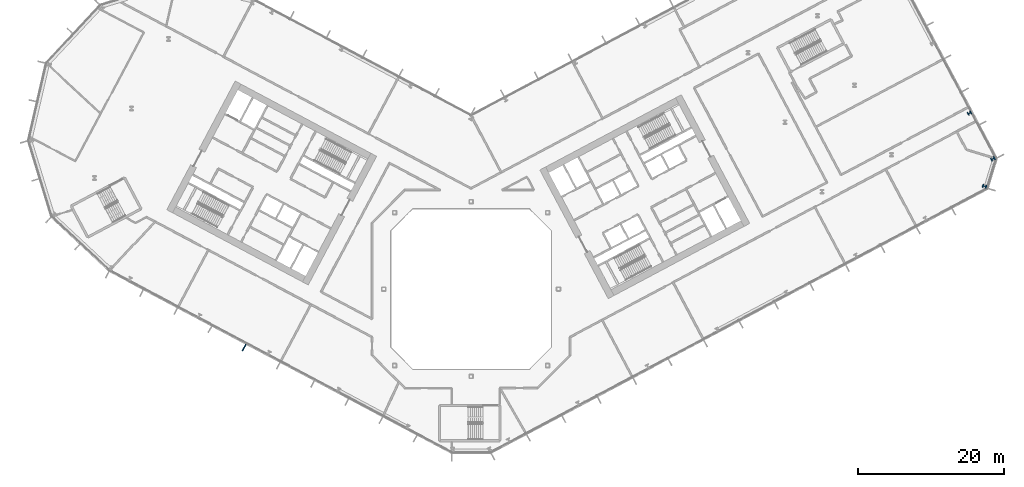
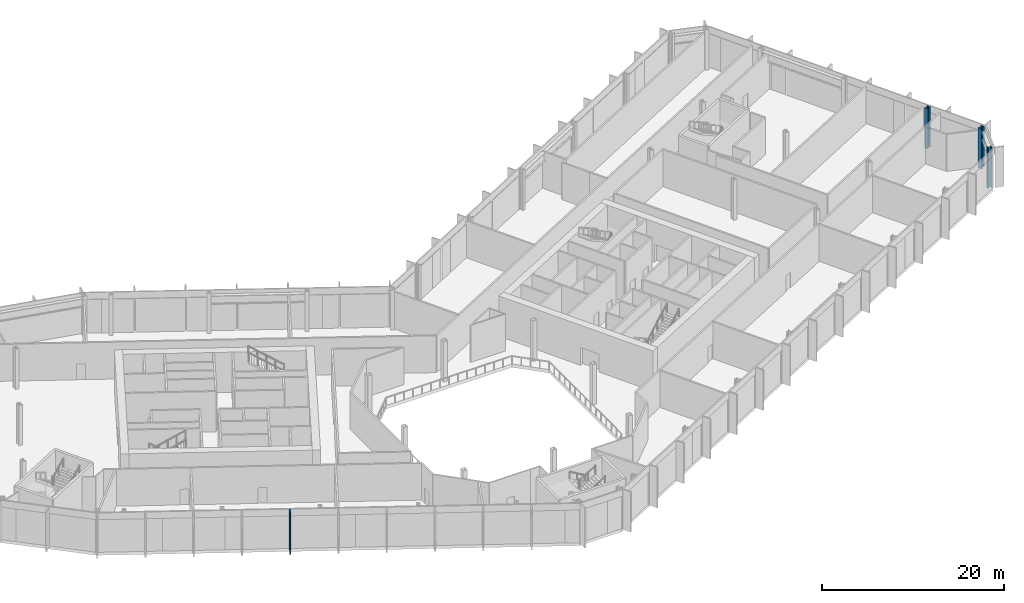
# One storey, part 5 of 32: 3 columns, 1 member, 1 element without a shape of its own.
"""IFC4 building model written with IfcOpenShell, lengths in metres."""

from ifc_helpers import new_model, si_unit, direction, frame, origin, origin_2d, place, context, subcontext, project, spatial, rectangle, i_section, extrude, material, layer, layer_set, material_profile, profile_set, type_object, element, aggregate, save


model = new_model("IFC4")

# Units and contexts
model_context = context("Model", 3, precision=1e-05, world=origin(), true_north=direction((0.0, 1.0)))
body_context = subcontext(model_context, "Body", "Model", "MODEL_VIEW")
ifc_project = project(units=[si_unit("LENGTHUNIT", "METRE"), si_unit("AREAUNIT", "SQUARE_METRE"), si_unit("VOLUMEUNIT", "CUBIC_METRE"), si_unit("PLANEANGLEUNIT", "RADIAN"), si_unit("MASSUNIT", "GRAM", prefix="KILO")], contexts=[model_context])

# Site, building, storey
site_placement = place(None, origin())
site = spatial("IfcSite", under=ifc_project, at=site_placement, CompositionType="ELEMENT")
building_placement = place(site_placement, origin())
building = spatial("IfcBuilding", under=site, at=building_placement, Name="Cormorant Relay Tower", CompositionType="ELEMENT")
storey_placement = place(building_placement, frame((0.0, 0.0, 39.199951171875)))
storey = spatial("IfcBuildingStorey", under=building, at=storey_placement, Name="L07", CompositionType="ELEMENT", Elevation=39.199951171875)

# Columns
ifc_material_1 = material(Name="Steel ASTM A992 (Fy 345 MPa)", Category="steel")
ifc_material_profile_1 = material_profile(ifc_material_1, i_section(OverallWidth=0.45458984375, OverallDepth=0.569091796875, WebThickness=0.077880859375, FlangeThickness=0.124755859375, FilletRadius=0.015380859375, at=origin_2d()), Name="W360x1086")
ifc_profile_set_1 = profile_set([ifc_material_profile_1], Name="Steel ASTM A992 (Fy 345 MPa)")
column_type_1 = type_object("IfcColumnType", Name="Column W360x1086", PredefinedType="COLUMN", material=ifc_profile_set_1)
for number, where, z_axis, x_axis, name in (
    (1, (70.47412109375, 14.10595703125, 0.0), (0.0, 0.0, 1.0), (0.292371704723, 0.956304755963, 0.0), "Column L07-026"),
    (2, (71.625, 17.87109375, 0.0), (0.0, 0.0, 1.0), (-0.469471562786, 0.882947592859, 0.0), "Column L07-028"),
):
    element("IfcColumn", number, at=place(storey_placement, frame(where, z_axis=z_axis, x_axis=x_axis)), inside=storey, type_object=column_type_1, Name=name, PredefinedType="COLUMN", context=body_context, shape_type="SweptSolid", body=[
        extrude(i_section(OverallWidth=0.45458984375, OverallDepth=0.569091796875, WebThickness=0.077880859375, FlangeThickness=0.124755859375, FilletRadius=0.015380859375, at=origin_2d()), origin(), (0.0, 0.0, 1.0), 5.400146484375),
    ])
ifc_material_2 = material(Name="Steel ASTM A992 (Fy 345 MPa)", Category="steel")
ifc_material_profile_2 = material_profile(ifc_material_2, i_section(OverallWidth=0.43701171875, OverallDepth=0.51318359375, WebThickness=0.060546875, FlangeThickness=0.096923828125, FilletRadius=0.015380859375, at=origin_2d()), Name="W360x818")
ifc_profile_set_2 = profile_set([ifc_material_profile_2], Name="Steel ASTM A992 (Fy 345 MPa)")
column_type_2 = type_object("IfcColumnType", Name="Column W360x818", PredefinedType="COLUMN", material=ifc_profile_set_2)
column_placement = place(storey_placement, frame((68.4130859375, 24.14404296875, 0.0), z_axis=(0.0, 0.0, 1.0), x_axis=(-0.469471562786, 0.882947592859, 0.0)))
element("IfcColumn", 3, at=column_placement, inside=storey, type_object=column_type_2, Name="Column L07-033", PredefinedType="COLUMN", context=body_context, shape_type="SweptSolid", body=[
    extrude(i_section(OverallWidth=0.43701171875, OverallDepth=0.51318359375, WebThickness=0.060546875, FlangeThickness=0.096923828125, FilletRadius=0.015380859375, at=origin_2d()), origin(), (0.0, 0.0, 1.0), 5.400146484375),
])

# Curtain wall, member
ifc_material_3 = material(Name="Aluminium 6063-T6 anodised bronze", Category="aluminium")
ifc_layer = layer(ifc_material_3, 0.235107421875)
ifc_layer_set = layer_set([ifc_layer], Name="CW6 data hall curtain wall with mineral wool panels")
curtain_wall_type = type_object("IfcCurtainWallType", Name="CW6 data hall curtain wall with mineral wool panels", PredefinedType="NOTDEFINED", material=ifc_layer_set)
curtain_wall_placement = place(storey_placement, origin())
curtain_wall = element("IfcCurtainWall", 4, at=curtain_wall_placement, inside=storey, type_object=curtain_wall_type, Name="CW6 curtain wall 14", PredefinedType="NOTDEFINED")
ifc_material_4 = material(Name="Aluminium 6063-T6 anodised bronze", Category="aluminium")
ifc_material_profile_3 = material_profile(ifc_material_4, rectangle(XDim=0.14990234375, YDim=1.0, at=origin_2d()), Name="AL 150x1000")
ifc_profile_set_3 = profile_set([ifc_material_profile_3], Name="Aluminium 6063-T6 anodised bronze")
member_type = type_object("IfcMemberType", Name="CW6 bronze fin mullion 150 x 1000", PredefinedType="MULLION", material=ifc_profile_set_3)
member_placement = place(storey_placement, frame((-31.159423828125, -8.048583984375, 0.0), z_axis=(0.0, 0.0, 1.0), x_axis=(0.882947592859, -0.469471562786, 0.0)))
member = element("IfcMember", 5, at=member_placement, type_object=member_type, Name="CW6 fin 14.5", PredefinedType="MULLION", context=body_context, shape_type="SweptSolid", body=[
    extrude(rectangle(XDim=0.14990234375, YDim=1.0, at=origin_2d()), origin(), (0.0, 0.0, 1.0), 5.400146484375),
])
aggregate(curtain_wall, [member])

save(model, "model.ifc")
